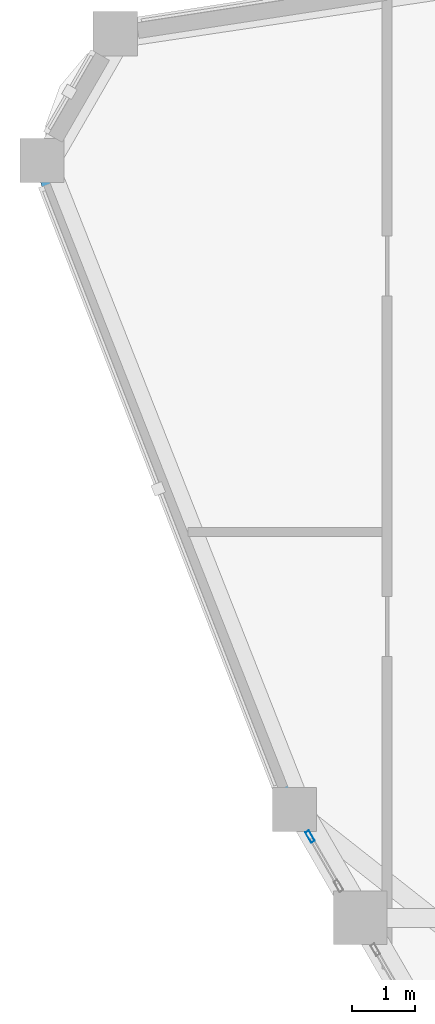
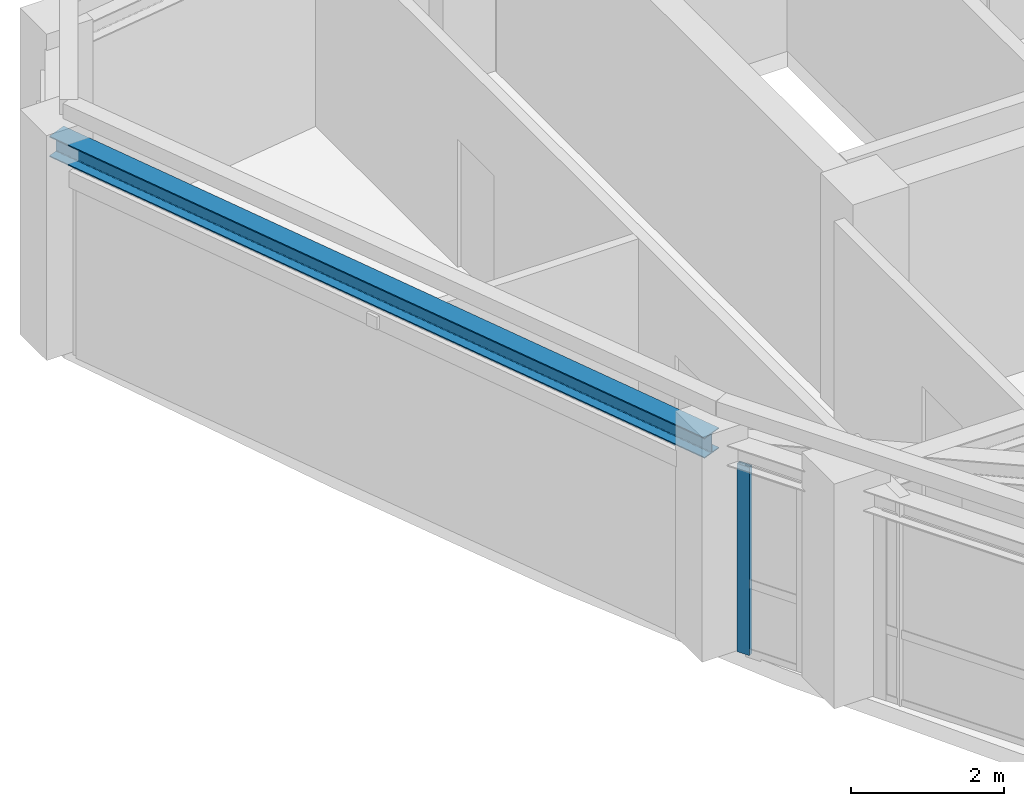
# One storey, part 5 of 13: 1 beam, 1 member, 1 element without a shape of its own.
"""IFC4 building model written with IfcOpenShell, lengths in metres."""

from ifc_helpers import new_model, si_unit, derived_unit, direction, frame, origin, origin_2d, place, context, subcontext, project, spatial, hollow_rectangle, i_section, extrude, source, transform, mapped, material, layer, layer_set, material_profile, profile_set, type_object, element, aggregate, save


model = new_model("IFC4")

# Units and contexts
model_context = context("Model", 3, precision=1e-05, world=origin(), true_north=direction((0.0, 1.0)))
body_context = subcontext(model_context, "Body", "Model", "MODEL_VIEW")
ifc_project = project(units=[si_unit("LENGTHUNIT", "METRE"), si_unit("AREAUNIT", "SQUARE_METRE"), si_unit("VOLUMEUNIT", "CUBIC_METRE"), si_unit("PLANEANGLEUNIT", "RADIAN"), si_unit("MASSUNIT", "GRAM", prefix="KILO"), derived_unit("THERMALTRANSMITTANCEUNIT", [(si_unit("POWERUNIT", "WATT"), 1), (si_unit("LENGTHUNIT", "METRE"), -2), (si_unit("THERMODYNAMICTEMPERATUREUNIT", "KELVIN"), -1)])], contexts=[model_context])

# Site, building, storey
site_placement = place(None, origin())
site = spatial("IfcSite", under=ifc_project, at=site_placement, CompositionType="ELEMENT")
building_placement = place(site_placement, origin())
building = spatial("IfcBuilding", under=site, at=building_placement, Name="Korsvarv Bourse and Concert Hall", CompositionType="ELEMENT")
storey_placement = place(building_placement, frame((0.0, 0.0, 296.10009765625)))
storey = spatial("IfcBuildingStorey", under=building, at=storey_placement, Name="L77", CompositionType="ELEMENT", Elevation=296.10009765625)

# Beam
ifc_material_1 = material(Name="Steel S355", Category="steel")
ifc_material_profile_1 = material_profile(ifc_material_1, i_section(OverallWidth=0.300048828125, OverallDepth=0.330078125, WebThickness=0.009521484375, FlangeThickness=0.0166015625, FilletRadius=0.02099609375, at=origin_2d()), Name="HEA 340")
ifc_profile_set_1 = profile_set([ifc_material_profile_1], Name="Steel S355")
beam_type = type_object("IfcBeamType", Name="BM-HEA340", PredefinedType="BEAM", material=ifc_profile_set_1)
shared_shape_1 = source(origin(), body_context, "Body", "SweptSolid", [
    extrude(i_section(OverallWidth=0.300048828125, OverallDepth=0.330078125, WebThickness=0.009521484375, FlangeThickness=0.0166015625, FilletRadius=0.02099609375, at=origin_2d()), origin(), (0.0, 0.0, 1.0), 11.015625),
])
beam_placement = place(storey_placement, frame((19.16455078125, 44.38232421875, 3.1748046875), z_axis=(0.362389575123, -0.932026714125, 0.0), x_axis=(0.932026714125, 0.362389575123, 0.0)))
element("IfcBeam", 1, at=beam_placement, inside=storey, type_object=beam_type, Name="L77 beam B-12", PredefinedType="BEAM", context=body_context, shape_type="MappedRepresentation", body=[
    mapped(shared_shape_1, transform((0.0, 0.0, 0.0), scale=1.0)),
])

# Curtain wall, member
ifc_material_2 = material(Name="Anodised aluminium and triple low-E glazing", Category="glass")
ifc_layer = layer(ifc_material_2, 0.22998046875)
ifc_layer_set = layer_set([ifc_layer], Name="Anodised aluminium and triple low-E glazing")
curtain_wall_type = type_object("IfcCurtainWallType", Name="CW-SYS-6", PredefinedType="NOTDEFINED", material=ifc_layer_set)
curtain_wall_placement = place(storey_placement, origin())
curtain_wall = element("IfcCurtainWall", 2, at=curtain_wall_placement, inside=storey, type_object=curtain_wall_type, Name="L77 CW6 curtain wall CW-L77-CRN07-1", PredefinedType="NOTDEFINED")
ifc_material_3 = material(Name="Extruded aluminium EN AW-6063 T66", Category="aluminium")
ifc_material_profile_2 = material_profile(ifc_material_3, hollow_rectangle(XDim=0.070068359375, YDim=0.18994140625, WallThickness=0.0048828125, at=origin_2d()), Name="ALU-M 70x190")
ifc_profile_set_2 = profile_set([ifc_material_profile_2], Name="Extruded aluminium EN AW-6063 T66")
member_type = type_object("IfcMemberType", Name="CWM-190", PredefinedType="MULLION", material=ifc_profile_set_2)
shared_shape_2 = source(origin(), body_context, "Body", "SweptSolid", [
    extrude(hollow_rectangle(XDim=0.070068359375, YDim=0.18994140625, WallThickness=0.0048828125, at=origin_2d()), origin(), (0.0, 0.0, 1.0), 3.010009765625),
])
member_placement = place(storey_placement, frame((23.40478515625, 33.685302734375, 0.0), z_axis=(0.0, 0.0, 1.0), x_axis=(0.865989998116, 0.500061319403, 0.0)))
member = element("IfcMember", 3, at=member_placement, type_object=member_type, Name="CW6 mullion 1", PredefinedType="MULLION", context=body_context, shape_type="MappedRepresentation", body=[
    mapped(shared_shape_2, transform((0.0, 0.0, 0.0), scale=1.0)),
])
aggregate(curtain_wall, [member])

save(model, "model.ifc")
